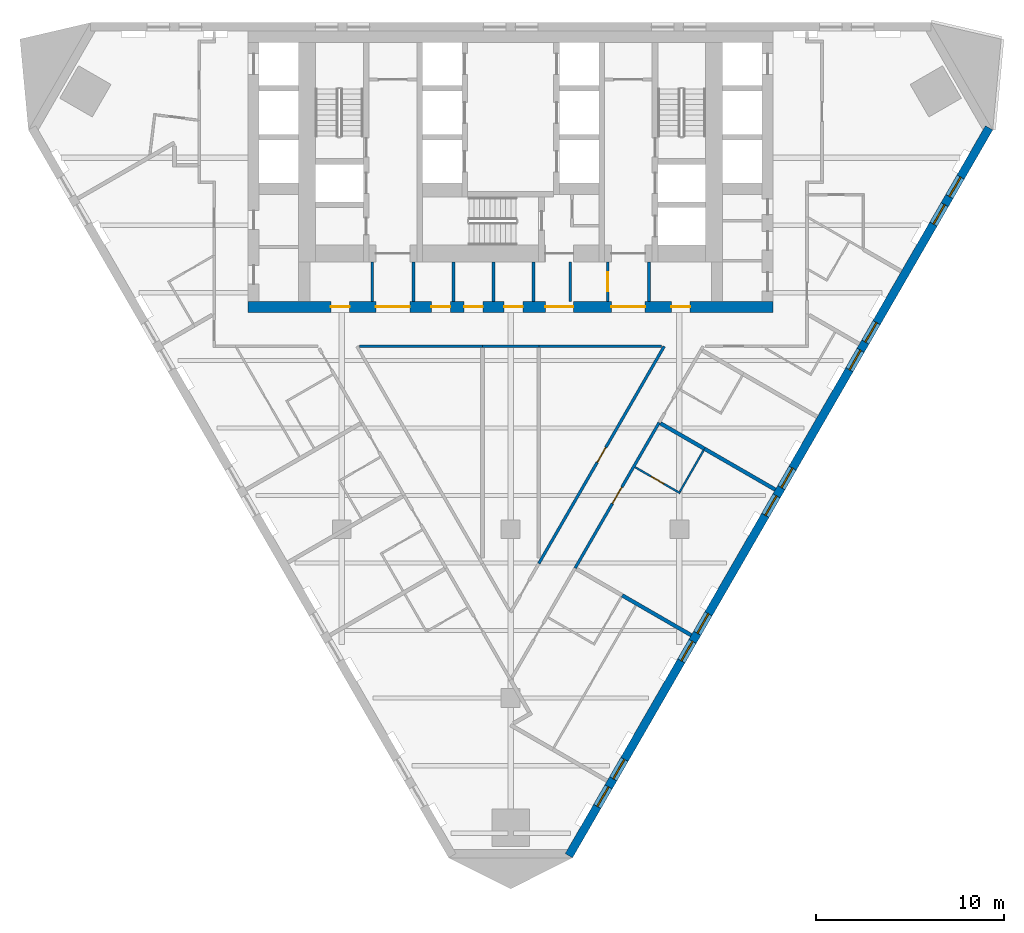
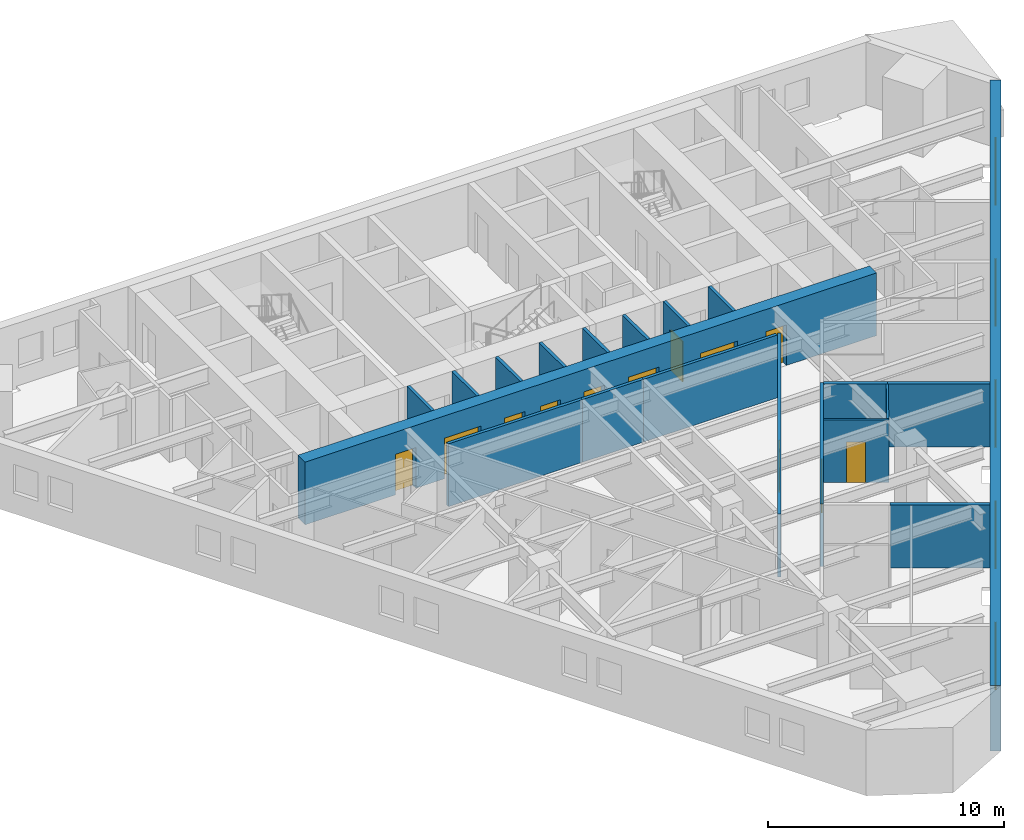
# One storey, part 4 of 10: 20 walls, 12 doors, 10 windows, 22 openings.
"""IFC4 building model written with IfcOpenShell, lengths in metres."""

from ifc_helpers import new_model, si_unit, direction, frame, frame_2d, origin, place, context, subcontext, project, spatial, polyline, rectangle, outline, extrude, material, layer, layer_set, type_object, element, fill, save


model = new_model("IFC4")

# Units and contexts
model_context = context("Model", 3, precision=1e-05, world=origin(), true_north=direction((0.0, 1.0)))
body_context = subcontext(model_context, "Body", "Model", "MODEL_VIEW")
ifc_project = project(units=[si_unit("LENGTHUNIT", "METRE"), si_unit("AREAUNIT", "SQUARE_METRE"), si_unit("VOLUMEUNIT", "CUBIC_METRE"), si_unit("PLANEANGLEUNIT", "RADIAN"), si_unit("MASSUNIT", "GRAM", prefix="KILO")], contexts=[model_context])

# Site, building, storey
site_placement = place(None, origin())
site = spatial("IfcSite", under=ifc_project, at=site_placement, CompositionType="ELEMENT")
building_placement = place(site_placement, origin())
building = spatial("IfcBuilding", under=site, at=building_placement, Name="Aloe Facet Convention Tower", CompositionType="ELEMENT")
storey_placement = place(building_placement, frame((0.0, 0.0, 73.5)))
storey = spatial("IfcBuildingStorey", under=building, at=storey_placement, Name="L17", CompositionType="ELEMENT", Elevation=73.5)

# Walls
ifc_material_1 = material(Name="Concrete blockwork partition", Category="masonry")
ifc_layer_1 = layer(ifc_material_1, 0.14990234375)
ifc_layer_set_1 = layer_set([ifc_layer_1], Name="CR-W-PART150")
wall_type_1 = type_object("IfcWallType", Name="CR-W-PART150", PredefinedType="PARTITIONING", material=ifc_layer_set_1)
for number, where, z_axis, x_axis, name in (
    (1, (72.625, 122.25, 0.0), (0.0, 0.0, 1.0), (0.0, -1.0, 0.0), "Core partition L17-016"),
    (2, (74.824951171875, 122.25, 0.0), (0.0, 0.0, 1.0), (0.0, -1.0, 0.0), "Core partition L17-017"),
    (3, (76.958251953125, 122.25, 0.0), (0.0, 0.0, 1.0), (0.0, -1.0, 0.0), "Core partition L17-023"),
    (4, (79.091552734375, 122.25, 0.0), (0.0, 0.0, 1.0), (0.0, -1.0, 0.0), "Core partition L17-026"),
    (5, (81.22509765625, 122.25, 0.0), (0.0, 0.0, 1.0), (0.0, -1.0, 0.0), "Core partition L17-027"),
    (6, (83.175048828125, 122.25, 0.0), (0.0, 0.0, 1.0), (0.0, -1.0, 0.0), "Core partition L17-034"),
):
    element("IfcWall", number, at=place(storey_placement, frame(where, z_axis=z_axis, x_axis=x_axis)), inside=storey, type_object=wall_type_1, Name=name, PredefinedType="PARTITIONING", context=body_context, shape_type="SweptSolid", body=[
        extrude(rectangle(XDim=2.10009765625, YDim=0.14990234375, at=frame_2d((1.050048828125, 0.0))), origin(), (0.0, 0.0, 1.0), 3.25),
    ])

# Wall, opening, door
wall_1_placement = place(storey_placement, frame((85.175048828125, 122.25, 0.0), z_axis=(0.0, 0.0, 1.0), x_axis=(0.0, -1.0, 0.0)))
wall_1 = element("IfcWall", 7, at=wall_1_placement, inside=storey, type_object=wall_type_1, Name="Core partition L17-040", PredefinedType="PARTITIONING", context=body_context, shape_type="SweptSolid", body=[
    extrude(rectangle(XDim=2.10009765625, YDim=0.14990234375, at=frame_2d((1.050048828125, 0.0))), origin(), (0.0, 0.0, 1.0), 3.25),
])
opening_1_placement = place(wall_1_placement, frame((0.550048828125, 0.0, 0.0)))
opening_1 = element("IfcOpeningElement", 8, at=opening_1_placement, cuts=wall_1, Name="Opening L17-CD28", PredefinedType="OPENING", context=body_context, shape_type="SweptSolid", body=[
    extrude(rectangle(XDim=1.0, YDim=2.10009765625, at=frame_2d((0.5, 1.050048828125))), frame((0.0, 0.0849609375, 0.0), z_axis=(0.0, -1.0, 0.0), x_axis=(1.0, 0.0, 0.0)), (0.0, 0.0, 1.0), 0.169921875),
])
ifc_material_2 = material(Name="Steel fire-resisting door set FD60", Category="steel")
door_type_1 = type_object("IfcDoorType", Name="CR-D-ROOM-1000-FD60-SRIGHT", OperationType="SINGLE_SWING_RIGHT", PredefinedType="DOOR", material=ifc_material_2)
door_1_placement = place(opening_1_placement, origin())
door_1 = element("IfcDoor", 9, at=door_1_placement, inside=storey, type_object=door_type_1, Name="Core door L17-CD28", OperationType="SINGLE_SWING_RIGHT", OverallHeight=2.10009765625, OverallWidth=1.0, PredefinedType="DOOR", context=body_context, shape_type="SweptSolid", body=[
    extrude(rectangle(XDim=1.0, YDim=2.10009765625, at=frame_2d((0.5, 1.050048828125))), frame((0.0, 0.02490234375, 0.0), z_axis=(0.0, -1.0, 0.0), x_axis=(1.0, 0.0, 0.0)), (0.0, 0.0, 1.0), 0.050048828125),
])
fill(opening_1, door_1)

# Wall
wall_2_placement = place(storey_placement, frame((87.375, 122.25, 0.0), z_axis=(0.0, 0.0, 1.0), x_axis=(0.0, -1.0, 0.0)))
element("IfcWall", 10, at=wall_2_placement, inside=storey, type_object=wall_type_1, Name="Core partition L17-041", PredefinedType="PARTITIONING", context=body_context, shape_type="SweptSolid", body=[
    extrude(rectangle(XDim=2.10009765625, YDim=0.14990234375, at=frame_2d((1.050048828125, 0.0))), origin(), (0.0, 0.0, 1.0), 3.25),
])

# Wall, openings, doors
ifc_material_3 = material(Name="Concrete C80/95", Category="concrete")
ifc_layer_2 = layer(ifc_material_3, 0.60009765625)
ifc_layer_set_2 = layer_set([ifc_layer_2], Name="CR-W-RC600-C8095")
wall_type_2 = type_object("IfcWallType", Name="CR-W-RC600-C8095", PredefinedType="SOLIDWALL", material=ifc_layer_set_2)
wall_3_placement = place(storey_placement, frame((66.0, 119.85009765625, 0.0), z_axis=(0.0, 0.0, 1.0), x_axis=(1.0, 0.0, 0.0)))
wall_3 = element("IfcWall", 11, at=wall_3_placement, inside=storey, type_object=wall_type_2, Name="Core wall L17-003", PredefinedType="SOLIDWALL", context=body_context, shape_type="SweptSolid", body=[
    extrude(rectangle(XDim=28.0, YDim=0.60009765625, at=frame_2d((14.0, 0.0))), origin(), (0.0, 0.0, 1.0), 3.25),
])
opening_2_placement = place(wall_3_placement, frame((6.824951171875, 0.0, 0.0)))
opening_2 = element("IfcOpeningElement", 12, at=opening_2_placement, cuts=wall_3, Name="Opening L17-CD17", PredefinedType="OPENING", context=body_context, shape_type="SweptSolid", body=[
    extrude(rectangle(XDim=1.800048828125, YDim=2.10009765625, at=frame_2d((0.89990234375, 1.050048828125))), frame((0.0, 0.31005859375, 0.0), z_axis=(0.0, -1.0, 0.0), x_axis=(1.0, 0.0, 0.0)), (0.0, 0.0, 1.0), 0.6201171875),
])
opening_3_placement = place(wall_3_placement, frame((15.85009765625, 0.0, 0.0)))
opening_3 = element("IfcOpeningElement", 13, at=opening_3_placement, cuts=wall_3, Name="Opening L17-CD18", PredefinedType="OPENING", context=body_context, shape_type="SweptSolid", body=[
    extrude(rectangle(XDim=1.5, YDim=2.10009765625, at=frame_2d((0.75, 1.050048828125))), frame((0.0, 0.31005859375, 0.0), z_axis=(0.0, -1.0, 0.0), x_axis=(1.0, 0.0, 0.0)), (0.0, 0.0, 1.0), 0.6201171875),
])
opening_4_placement = place(wall_3_placement, frame((19.375, 0.0, 0.0)))
opening_4 = element("IfcOpeningElement", 14, at=opening_4_placement, cuts=wall_3, Name="Opening L17-CD19", PredefinedType="OPENING", context=body_context, shape_type="SweptSolid", body=[
    extrude(rectangle(XDim=1.800048828125, YDim=2.10009765625, at=frame_2d((0.89990234375, 1.050048828125))), frame((0.0, 0.31005859375, 0.0), z_axis=(0.0, -1.0, 0.0), x_axis=(1.0, 0.0, 0.0)), (0.0, 0.0, 1.0), 0.6201171875),
])
opening_5_placement = place(wall_3_placement, frame((4.425048828125, 0.0, 0.0)))
opening_5 = element("IfcOpeningElement", 15, at=opening_5_placement, cuts=wall_3, Name="Opening L17-CD24", PredefinedType="OPENING", context=body_context, shape_type="SweptSolid", body=[
    extrude(rectangle(XDim=1.0, YDim=2.10009765625, at=frame_2d((0.5, 1.050048828125))), frame((0.0, 0.31005859375, 0.0), z_axis=(0.0, -1.0, 0.0), x_axis=(1.0, 0.0, 0.0)), (0.0, 0.0, 1.0), 0.6201171875),
])
opening_6_placement = place(wall_3_placement, frame((9.783203125, 0.0, 0.0)))
opening_6 = element("IfcOpeningElement", 16, at=opening_6_placement, cuts=wall_3, Name="Opening L17-CD25", PredefinedType="OPENING", context=body_context, shape_type="SweptSolid", body=[
    extrude(rectangle(XDim=1.0, YDim=2.10009765625, at=frame_2d((0.5, 1.050048828125))), frame((0.0, 0.31005859375, 0.0), z_axis=(0.0, -1.0, 0.0), x_axis=(1.0, 0.0, 0.0)), (0.0, 0.0, 1.0), 0.6201171875),
])
opening_7_placement = place(wall_3_placement, frame((11.52490234375, 0.0, 0.0)))
opening_7 = element("IfcOpeningElement", 17, at=opening_7_placement, cuts=wall_3, Name="Opening L17-CD26", PredefinedType="OPENING", context=body_context, shape_type="SweptSolid", body=[
    extrude(rectangle(XDim=1.0, YDim=2.10009765625, at=frame_2d((0.5, 1.050048828125))), frame((0.0, 0.31005859375, 0.0), z_axis=(0.0, -1.0, 0.0), x_axis=(1.0, 0.0, 0.0)), (0.0, 0.0, 1.0), 0.6201171875),
])
opening_8_placement = place(wall_3_placement, frame((13.658203125, 0.0, 0.0)))
opening_8 = element("IfcOpeningElement", 18, at=opening_8_placement, cuts=wall_3, Name="Opening L17-CD27", PredefinedType="OPENING", context=body_context, shape_type="SweptSolid", body=[
    extrude(rectangle(XDim=1.0, YDim=2.10009765625, at=frame_2d((0.5, 1.050048828125))), frame((0.0, 0.31005859375, 0.0), z_axis=(0.0, -1.0, 0.0), x_axis=(1.0, 0.0, 0.0)), (0.0, 0.0, 1.0), 0.6201171875),
])
opening_9_placement = place(wall_3_placement, frame((22.574951171875, 0.0, 0.0)))
opening_9 = element("IfcOpeningElement", 19, at=opening_9_placement, cuts=wall_3, Name="Opening L17-CD29", PredefinedType="OPENING", context=body_context, shape_type="SweptSolid", body=[
    extrude(rectangle(XDim=1.0, YDim=2.10009765625, at=frame_2d((0.5, 1.050048828125))), frame((0.0, 0.31005859375, 0.0), z_axis=(0.0, -1.0, 0.0), x_axis=(1.0, 0.0, 0.0)), (0.0, 0.0, 1.0), 0.6201171875),
])
ifc_material_4 = material(Name="Steel fire-resisting door set FD60", Category="steel")
door_type_2 = type_object("IfcDoorType", Name="CR-D-EXIT-1500-FD60-DD", OperationType="DOUBLE_DOOR_DOUBLE_SWING", PredefinedType="DOOR", material=ifc_material_4)
door_2_placement = place(opening_3_placement, origin())
door_2 = element("IfcDoor", 20, at=door_2_placement, inside=storey, type_object=door_type_2, Name="Core door L17-CD18", OperationType="DOUBLE_DOOR_DOUBLE_SWING", OverallHeight=2.10009765625, OverallWidth=1.5, PredefinedType="DOOR", context=body_context, shape_type="SweptSolid", body=[
    extrude(rectangle(XDim=1.5, YDim=2.10009765625, at=frame_2d((0.75, 1.050048828125))), frame((0.0, 0.02490234375, 0.0), z_axis=(0.0, -1.0, 0.0), x_axis=(1.0, 0.0, 0.0)), (0.0, 0.0, 1.0), 0.050048828125),
])
fill(opening_3, door_2)
ifc_material_5 = material(Name="Steel fire-resisting door set FD60", Category="steel")
door_type_3 = type_object("IfcDoorType", Name="CR-D-EXIT-1800-FD60-DD", OperationType="DOUBLE_DOOR_DOUBLE_SWING", PredefinedType="DOOR", material=ifc_material_5)
door_3_placement = place(opening_2_placement, origin())
door_3 = element("IfcDoor", 21, at=door_3_placement, inside=storey, type_object=door_type_3, Name="Core door L17-CD17", OperationType="DOUBLE_DOOR_DOUBLE_SWING", OverallHeight=2.10009765625, OverallWidth=1.800048828125, PredefinedType="DOOR", context=body_context, shape_type="SweptSolid", body=[
    extrude(rectangle(XDim=1.800048828125, YDim=2.10009765625, at=frame_2d((0.89990234375, 1.050048828125))), frame((0.0, 0.02490234375, 0.0), z_axis=(0.0, -1.0, 0.0), x_axis=(1.0, 0.0, 0.0)), (0.0, 0.0, 1.0), 0.050048828125),
])
fill(opening_2, door_3)
door_4_placement = place(opening_4_placement, origin())
door_4 = element("IfcDoor", 22, at=door_4_placement, inside=storey, type_object=door_type_3, Name="Core door L17-CD19", OperationType="DOUBLE_DOOR_DOUBLE_SWING", OverallHeight=2.10009765625, OverallWidth=1.800048828125, PredefinedType="DOOR", context=body_context, shape_type="SweptSolid", body=[
    extrude(rectangle(XDim=1.800048828125, YDim=2.10009765625, at=frame_2d((0.89990234375, 1.050048828125))), frame((0.0, 0.02490234375, 0.0), z_axis=(0.0, -1.0, 0.0), x_axis=(1.0, 0.0, 0.0)), (0.0, 0.0, 1.0), 0.050048828125),
])
fill(opening_4, door_4)
door_5_placement = place(opening_5_placement, origin())
door_5 = element("IfcDoor", 23, at=door_5_placement, inside=storey, type_object=door_type_1, Name="Core door L17-CD24", OperationType="SINGLE_SWING_RIGHT", OverallHeight=2.10009765625, OverallWidth=1.0, PredefinedType="DOOR", context=body_context, shape_type="SweptSolid", body=[
    extrude(rectangle(XDim=1.0, YDim=2.10009765625, at=frame_2d((0.5, 1.050048828125))), frame((0.0, 0.02490234375, 0.0), z_axis=(0.0, -1.0, 0.0), x_axis=(1.0, 0.0, 0.0)), (0.0, 0.0, 1.0), 0.050048828125),
])
fill(opening_5, door_5)
door_6_placement = place(opening_6_placement, origin())
door_6 = element("IfcDoor", 24, at=door_6_placement, inside=storey, type_object=door_type_1, Name="Core door L17-CD25", OperationType="SINGLE_SWING_RIGHT", OverallHeight=2.10009765625, OverallWidth=1.0, PredefinedType="DOOR", context=body_context, shape_type="SweptSolid", body=[
    extrude(rectangle(XDim=1.0, YDim=2.10009765625, at=frame_2d((0.5, 1.050048828125))), frame((0.0, 0.02490234375, 0.0), z_axis=(0.0, -1.0, 0.0), x_axis=(1.0, 0.0, 0.0)), (0.0, 0.0, 1.0), 0.050048828125),
])
fill(opening_6, door_6)
door_7_placement = place(opening_7_placement, origin())
door_7 = element("IfcDoor", 25, at=door_7_placement, inside=storey, type_object=door_type_1, Name="Core door L17-CD26", OperationType="SINGLE_SWING_RIGHT", OverallHeight=2.10009765625, OverallWidth=1.0, PredefinedType="DOOR", context=body_context, shape_type="SweptSolid", body=[
    extrude(rectangle(XDim=1.0, YDim=2.10009765625, at=frame_2d((0.5, 1.050048828125))), frame((0.0, 0.02490234375, 0.0), z_axis=(0.0, -1.0, 0.0), x_axis=(1.0, 0.0, 0.0)), (0.0, 0.0, 1.0), 0.050048828125),
])
fill(opening_7, door_7)
door_8_placement = place(opening_8_placement, origin())
door_8 = element("IfcDoor", 26, at=door_8_placement, inside=storey, type_object=door_type_1, Name="Core door L17-CD27", OperationType="SINGLE_SWING_RIGHT", OverallHeight=2.10009765625, OverallWidth=1.0, PredefinedType="DOOR", context=body_context, shape_type="SweptSolid", body=[
    extrude(rectangle(XDim=1.0, YDim=2.10009765625, at=frame_2d((0.5, 1.050048828125))), frame((0.0, 0.02490234375, 0.0), z_axis=(0.0, -1.0, 0.0), x_axis=(1.0, 0.0, 0.0)), (0.0, 0.0, 1.0), 0.050048828125),
])
fill(opening_8, door_8)
door_9_placement = place(opening_9_placement, origin())
door_9 = element("IfcDoor", 27, at=door_9_placement, inside=storey, type_object=door_type_1, Name="Core door L17-CD29", OperationType="SINGLE_SWING_RIGHT", OverallHeight=2.10009765625, OverallWidth=1.0, PredefinedType="DOOR", context=body_context, shape_type="SweptSolid", body=[
    extrude(rectangle(XDim=1.0, YDim=2.10009765625, at=frame_2d((0.5, 1.050048828125))), frame((0.0, 0.02490234375, 0.0), z_axis=(0.0, -1.0, 0.0), x_axis=(1.0, 0.0, 0.0)), (0.0, 0.0, 1.0), 0.050048828125),
])
fill(opening_9, door_9)

# Wall, openings, windows
ifc_material_6 = material(Name="Precast concrete C40/50", Category="concrete")
ifc_layer_3 = layer(ifc_material_6, 0.449951171875)
ifc_layer_set_3 = layer_set([ifc_layer_3], Name="EV-WALL-STONE")
wall_type_3 = type_object("IfcWallType", Name="EV-WALL-STONE", PredefinedType="SOLIDWALL", material=ifc_layer_set_3)
wall_4_placement = place(storey_placement, frame((83.105224609375, 90.598876953125, -0.14990234375), z_axis=(0.0, 0.0, 1.0), x_axis=(0.499999201451, 0.866025864826, 0.0)))
wall_4 = element("IfcWall", 28, at=wall_4_placement, inside=storey, type_object=wall_type_3, Name="EW-L17-E01", PredefinedType="SOLIDWALL", context=body_context, shape_type="SweptSolid", body=[
    extrude(outline(polyline([(44.800048828125, 0.0), (44.800048828125, 3.39990234375), (0.0, 3.39990234375), (0.0, 0.0), (44.800048828125, 0.0)])), frame((0.0, 0.22509765625, 0.0), z_axis=(0.0, -1.0, 0.0), x_axis=(1.0, 0.0, 0.0)), (0.0, 0.0, 1.0), 0.449951171875),
])
opening_10_placement = place(wall_4_placement, frame((3.030029296875, 0.0, 1.050048828125)))
opening_10 = element("IfcOpeningElement", 29, at=opening_10_placement, cuts=wall_4, Name="Opening W-L17-E01", PredefinedType="OPENING", context=body_context, shape_type="SweptSolid", body=[
    extrude(rectangle(XDim=1.199951171875, YDim=1.5, at=frame_2d((0.60009765625, 0.75))), frame((0.0, 0.23486328125, 0.0), z_axis=(0.0, -1.0, 0.0), x_axis=(1.0, 0.0, 0.0)), (0.0, 0.0, 1.0), 0.469970703125),
])
opening_11_placement = place(wall_4_placement, frame((4.72998046875, 0.0, 1.050048828125)))
opening_11 = element("IfcOpeningElement", 30, at=opening_11_placement, cuts=wall_4, Name="Opening W-L17-E02", PredefinedType="OPENING", context=body_context, shape_type="SweptSolid", body=[
    extrude(rectangle(XDim=1.199951171875, YDim=1.5, at=frame_2d((0.60009765625, 0.75))), frame((0.0, 0.23486328125, 0.0), z_axis=(0.0, -1.0, 0.0), x_axis=(1.0, 0.0, 0.0)), (0.0, 0.0, 1.0), 0.469970703125),
])
opening_12_placement = place(wall_4_placement, frame((11.989990234375, 0.0, 1.050048828125)))
opening_12 = element("IfcOpeningElement", 31, at=opening_12_placement, cuts=wall_4, Name="Opening W-L17-E03", PredefinedType="OPENING", context=body_context, shape_type="SweptSolid", body=[
    extrude(rectangle(XDim=1.199951171875, YDim=1.5, at=frame_2d((0.60009765625, 0.75))), frame((0.0, 0.23486328125, 0.0), z_axis=(0.0, -1.0, 0.0), x_axis=(1.0, 0.0, 0.0)), (0.0, 0.0, 1.0), 0.469970703125),
])
opening_13_placement = place(wall_4_placement, frame((13.68994140625, 0.0, 1.050048828125)))
opening_13 = element("IfcOpeningElement", 32, at=opening_13_placement, cuts=wall_4, Name="Opening W-L17-E04", PredefinedType="OPENING", context=body_context, shape_type="SweptSolid", body=[
    extrude(rectangle(XDim=1.199951171875, YDim=1.5, at=frame_2d((0.60009765625, 0.75))), frame((0.0, 0.23486328125, 0.0), z_axis=(0.0, -1.0, 0.0), x_axis=(1.0, 0.0, 0.0)), (0.0, 0.0, 1.0), 0.469970703125),
])
opening_14_placement = place(wall_4_placement, frame((20.949951171875, 0.0, 1.050048828125)))
opening_14 = element("IfcOpeningElement", 33, at=opening_14_placement, cuts=wall_4, Name="Opening W-L17-E05", PredefinedType="OPENING", context=body_context, shape_type="SweptSolid", body=[
    extrude(rectangle(XDim=1.199951171875, YDim=1.5, at=frame_2d((0.60009765625, 0.75))), frame((0.0, 0.23486328125, 0.0), z_axis=(0.0, -1.0, 0.0), x_axis=(1.0, 0.0, 0.0)), (0.0, 0.0, 1.0), 0.469970703125),
])
opening_15_placement = place(wall_4_placement, frame((22.64990234375, 0.0, 1.050048828125)))
opening_15 = element("IfcOpeningElement", 34, at=opening_15_placement, cuts=wall_4, Name="Opening W-L17-E06", PredefinedType="OPENING", context=body_context, shape_type="SweptSolid", body=[
    extrude(rectangle(XDim=1.199951171875, YDim=1.5, at=frame_2d((0.60009765625, 0.75))), frame((0.0, 0.23486328125, 0.0), z_axis=(0.0, -1.0, 0.0), x_axis=(1.0, 0.0, 0.0)), (0.0, 0.0, 1.0), 0.469970703125),
])
opening_16_placement = place(wall_4_placement, frame((29.909912109375, 0.0, 1.050048828125)))
opening_16 = element("IfcOpeningElement", 35, at=opening_16_placement, cuts=wall_4, Name="Opening W-L17-E07", PredefinedType="OPENING", context=body_context, shape_type="SweptSolid", body=[
    extrude(rectangle(XDim=1.199951171875, YDim=1.5, at=frame_2d((0.60009765625, 0.75))), frame((0.0, 0.23486328125, 0.0), z_axis=(0.0, -1.0, 0.0), x_axis=(1.0, 0.0, 0.0)), (0.0, 0.0, 1.0), 0.469970703125),
])
opening_17_placement = place(wall_4_placement, frame((31.610107421875, 0.0, 1.050048828125)))
opening_17 = element("IfcOpeningElement", 36, at=opening_17_placement, cuts=wall_4, Name="Opening W-L17-E08", PredefinedType="OPENING", context=body_context, shape_type="SweptSolid", body=[
    extrude(rectangle(XDim=1.199951171875, YDim=1.5, at=frame_2d((0.60009765625, 0.75))), frame((0.0, 0.23486328125, 0.0), z_axis=(0.0, -1.0, 0.0), x_axis=(1.0, 0.0, 0.0)), (0.0, 0.0, 1.0), 0.469970703125),
])
opening_18_placement = place(wall_4_placement, frame((38.8701171875, 0.0, 1.050048828125)))
opening_18 = element("IfcOpeningElement", 37, at=opening_18_placement, cuts=wall_4, Name="Opening W-L17-E09", PredefinedType="OPENING", context=body_context, shape_type="SweptSolid", body=[
    extrude(rectangle(XDim=1.199951171875, YDim=1.5, at=frame_2d((0.60009765625, 0.75))), frame((0.0, 0.23486328125, 0.0), z_axis=(0.0, -1.0, 0.0), x_axis=(1.0, 0.0, 0.0)), (0.0, 0.0, 1.0), 0.469970703125),
])
opening_19_placement = place(wall_4_placement, frame((40.570068359375, 0.0, 1.050048828125)))
opening_19 = element("IfcOpeningElement", 38, at=opening_19_placement, cuts=wall_4, Name="Opening W-L17-E10", PredefinedType="OPENING", context=body_context, shape_type="SweptSolid", body=[
    extrude(rectangle(XDim=1.199951171875, YDim=1.5, at=frame_2d((0.60009765625, 0.75))), frame((0.0, 0.23486328125, 0.0), z_axis=(0.0, -1.0, 0.0), x_axis=(1.0, 0.0, 0.0)), (0.0, 0.0, 1.0), 0.469970703125),
])
ifc_material_7 = material(Name="Aluminium frame, clear double glazing", Category="aluminium")
window_type = type_object("IfcWindowType", Name="EV-WIN-H12", PartitioningType="SINGLE_PANEL", PredefinedType="WINDOW", material=ifc_material_7)
window_1_placement = place(opening_10_placement, origin())
window_1 = element("IfcWindow", 39, at=window_1_placement, inside=storey, type_object=window_type, Name="W-L17-E01", OverallHeight=1.5, OverallWidth=1.199951171875, PartitioningType="SINGLE_PANEL", PredefinedType="WINDOW", context=body_context, shape_type="SweptSolid", body=[
    extrude(rectangle(XDim=1.199951171875, YDim=1.5, at=frame_2d((0.60009765625, 0.75))), frame((0.0, 0.030029296875, 0.0), z_axis=(0.0, -1.0, 0.0), x_axis=(1.0, 0.0, 0.0)), (0.0, 0.0, 1.0), 0.06005859375),
])
fill(opening_10, window_1)
window_2_placement = place(opening_11_placement, origin())
window_2 = element("IfcWindow", 40, at=window_2_placement, inside=storey, type_object=window_type, Name="W-L17-E02", OverallHeight=1.5, OverallWidth=1.199951171875, PartitioningType="SINGLE_PANEL", PredefinedType="WINDOW", context=body_context, shape_type="SweptSolid", body=[
    extrude(rectangle(XDim=1.199951171875, YDim=1.5, at=frame_2d((0.60009765625, 0.75))), frame((0.0, 0.030029296875, 0.0), z_axis=(0.0, -1.0, 0.0), x_axis=(1.0, 0.0, 0.0)), (0.0, 0.0, 1.0), 0.06005859375),
])
fill(opening_11, window_2)
window_3_placement = place(opening_12_placement, origin())
window_3 = element("IfcWindow", 41, at=window_3_placement, inside=storey, type_object=window_type, Name="W-L17-E03", OverallHeight=1.5, OverallWidth=1.199951171875, PartitioningType="SINGLE_PANEL", PredefinedType="WINDOW", context=body_context, shape_type="SweptSolid", body=[
    extrude(rectangle(XDim=1.199951171875, YDim=1.5, at=frame_2d((0.60009765625, 0.75))), frame((0.0, 0.030029296875, 0.0), z_axis=(0.0, -1.0, 0.0), x_axis=(1.0, 0.0, 0.0)), (0.0, 0.0, 1.0), 0.06005859375),
])
fill(opening_12, window_3)
window_4_placement = place(opening_13_placement, origin())
window_4 = element("IfcWindow", 42, at=window_4_placement, inside=storey, type_object=window_type, Name="W-L17-E04", OverallHeight=1.5, OverallWidth=1.199951171875, PartitioningType="SINGLE_PANEL", PredefinedType="WINDOW", context=body_context, shape_type="SweptSolid", body=[
    extrude(rectangle(XDim=1.199951171875, YDim=1.5, at=frame_2d((0.60009765625, 0.75))), frame((0.0, 0.030029296875, 0.0), z_axis=(0.0, -1.0, 0.0), x_axis=(1.0, 0.0, 0.0)), (0.0, 0.0, 1.0), 0.06005859375),
])
fill(opening_13, window_4)
window_5_placement = place(opening_14_placement, origin())
window_5 = element("IfcWindow", 43, at=window_5_placement, inside=storey, type_object=window_type, Name="W-L17-E05", OverallHeight=1.5, OverallWidth=1.199951171875, PartitioningType="SINGLE_PANEL", PredefinedType="WINDOW", context=body_context, shape_type="SweptSolid", body=[
    extrude(rectangle(XDim=1.199951171875, YDim=1.5, at=frame_2d((0.60009765625, 0.75))), frame((0.0, 0.030029296875, 0.0), z_axis=(0.0, -1.0, 0.0), x_axis=(1.0, 0.0, 0.0)), (0.0, 0.0, 1.0), 0.06005859375),
])
fill(opening_14, window_5)
window_6_placement = place(opening_15_placement, origin())
window_6 = element("IfcWindow", 44, at=window_6_placement, inside=storey, type_object=window_type, Name="W-L17-E06", OverallHeight=1.5, OverallWidth=1.199951171875, PartitioningType="SINGLE_PANEL", PredefinedType="WINDOW", context=body_context, shape_type="SweptSolid", body=[
    extrude(rectangle(XDim=1.199951171875, YDim=1.5, at=frame_2d((0.60009765625, 0.75))), frame((0.0, 0.030029296875, 0.0), z_axis=(0.0, -1.0, 0.0), x_axis=(1.0, 0.0, 0.0)), (0.0, 0.0, 1.0), 0.06005859375),
])
fill(opening_15, window_6)
window_7_placement = place(opening_16_placement, origin())
window_7 = element("IfcWindow", 45, at=window_7_placement, inside=storey, type_object=window_type, Name="W-L17-E07", OverallHeight=1.5, OverallWidth=1.199951171875, PartitioningType="SINGLE_PANEL", PredefinedType="WINDOW", context=body_context, shape_type="SweptSolid", body=[
    extrude(rectangle(XDim=1.199951171875, YDim=1.5, at=frame_2d((0.60009765625, 0.75))), frame((0.0, 0.030029296875, 0.0), z_axis=(0.0, -1.0, 0.0), x_axis=(1.0, 0.0, 0.0)), (0.0, 0.0, 1.0), 0.06005859375),
])
fill(opening_16, window_7)
window_8_placement = place(opening_17_placement, origin())
window_8 = element("IfcWindow", 46, at=window_8_placement, inside=storey, type_object=window_type, Name="W-L17-E08", OverallHeight=1.5, OverallWidth=1.199951171875, PartitioningType="SINGLE_PANEL", PredefinedType="WINDOW", context=body_context, shape_type="SweptSolid", body=[
    extrude(rectangle(XDim=1.199951171875, YDim=1.5, at=frame_2d((0.60009765625, 0.75))), frame((0.0, 0.030029296875, 0.0), z_axis=(0.0, -1.0, 0.0), x_axis=(1.0, 0.0, 0.0)), (0.0, 0.0, 1.0), 0.06005859375),
])
fill(opening_17, window_8)
window_9_placement = place(opening_18_placement, origin())
window_9 = element("IfcWindow", 47, at=window_9_placement, inside=storey, type_object=window_type, Name="W-L17-E09", OverallHeight=1.5, OverallWidth=1.199951171875, PartitioningType="SINGLE_PANEL", PredefinedType="WINDOW", context=body_context, shape_type="SweptSolid", body=[
    extrude(rectangle(XDim=1.199951171875, YDim=1.5, at=frame_2d((0.60009765625, 0.75))), frame((0.0, 0.030029296875, 0.0), z_axis=(0.0, -1.0, 0.0), x_axis=(1.0, 0.0, 0.0)), (0.0, 0.0, 1.0), 0.06005859375),
])
fill(opening_18, window_9)
window_10_placement = place(opening_19_placement, origin())
window_10 = element("IfcWindow", 48, at=window_10_placement, inside=storey, type_object=window_type, Name="W-L17-E10", OverallHeight=1.5, OverallWidth=1.199951171875, PartitioningType="SINGLE_PANEL", PredefinedType="WINDOW", context=body_context, shape_type="SweptSolid", body=[
    extrude(rectangle(XDim=1.199951171875, YDim=1.5, at=frame_2d((0.60009765625, 0.75))), frame((0.0, 0.030029296875, 0.0), z_axis=(0.0, -1.0, 0.0), x_axis=(1.0, 0.0, 0.0)), (0.0, 0.0, 1.0), 0.06005859375),
])
fill(opening_19, window_10)

# Wall, opening, door
ifc_material_8 = material(Name="Gypsum board partition on steel studs", Category="steel")
ifc_layer_4 = layer(ifc_material_8, 0.14990234375)
ifc_layer_set_4 = layer_set([ifc_layer_4], Name="IN-W-CORR")
wall_type_4 = type_object("IfcWallType", Name="IN-W-CORR", PredefinedType="PARTITIONING", material=ifc_layer_set_4)
wall_5_placement = place(storey_placement, frame((81.501953125, 106.172119140625, 0.0), z_axis=(0.0, 0.0, 1.0), x_axis=(0.500004357924, 0.866022887721, 0.0)))
wall_5 = element("IfcWall", 49, at=wall_5_placement, inside=storey, type_object=wall_type_4, Name="Partition L17-W035", PredefinedType="PARTITIONING", context=body_context, shape_type="SweptSolid", body=[
    extrude(rectangle(XDim=13.369140625, YDim=0.14990234375, at=frame_2d((6.6845703125, 0.0))), origin(), (0.0, 0.0, 1.0), 3.25),
])
opening_20_placement = place(wall_5_placement, frame((6.234619140625, 0.0, 0.0)))
opening_20 = element("IfcOpeningElement", 50, at=opening_20_placement, cuts=wall_5, Name="Opening L17-014", PredefinedType="OPENING", context=body_context, shape_type="SweptSolid", body=[
    extrude(rectangle(XDim=0.89990234375, YDim=2.10009765625, at=frame_2d((0.449951171875, 1.050048828125))), frame((0.0, 0.0849609375, 0.0), z_axis=(0.0, -1.0, 0.0), x_axis=(1.0, 0.0, 0.0)), (0.0, 0.0, 1.0), 0.169921875),
])
ifc_material_9 = material(Name="Hardwood flush door FD30S", Category="wood")
door_type_4 = type_object("IfcDoorType", Name="IN-D-GUEST", OperationType="SINGLE_SWING_LEFT", PredefinedType="DOOR", material=ifc_material_9)
door_10_placement = place(opening_20_placement, origin())
door_10 = element("IfcDoor", 51, at=door_10_placement, inside=storey, type_object=door_type_4, Name="Door L17-014", OperationType="SINGLE_SWING_LEFT", OverallHeight=2.10009765625, OverallWidth=0.89990234375, PredefinedType="DOOR", context=body_context, shape_type="SweptSolid", body=[
    extrude(rectangle(XDim=0.89990234375, YDim=2.10009765625, at=frame_2d((0.449951171875, 1.050048828125))), frame((0.0, 0.02490234375, 0.0), z_axis=(0.0, -1.0, 0.0), x_axis=(1.0, 0.0, 0.0)), (0.0, 0.0, 1.0), 0.050048828125),
])
fill(opening_20, door_10)

wall_6_placement = place(storey_placement, frame((83.438232421875, 105.92578125, 0.0), z_axis=(0.0, 0.0, 1.0), x_axis=(0.500001561196, 0.866024502425, 0.0)))
wall_6 = element("IfcWall", 52, at=wall_6_placement, inside=storey, type_object=wall_type_4, Name="Partition L17-W059", PredefinedType="PARTITIONING", context=body_context, shape_type="SweptSolid", body=[
    extrude(rectangle(XDim=8.9599609375, YDim=0.14990234375, at=frame_2d((4.47998046875, 0.0))), origin(), (0.0, 0.0, 1.0), 3.25),
])
opening_21_placement = place(wall_6_placement, frame((3.97998046875, 0.0, 0.0)))
opening_21 = element("IfcOpeningElement", 53, at=opening_21_placement, cuts=wall_6, Name="Opening L17-008", PredefinedType="OPENING", context=body_context, shape_type="SweptSolid", body=[
    extrude(rectangle(XDim=1.0, YDim=2.10009765625, at=frame_2d((0.5, 1.050048828125))), frame((0.0, 0.0849609375, 0.0), z_axis=(0.0, -1.0, 0.0), x_axis=(1.0, 0.0, 0.0)), (0.0, 0.0, 1.0), 0.169921875),
])
ifc_material_10 = material(Name="Hardwood flush door FD30S", Category="wood")
door_type_5 = type_object("IfcDoorType", Name="IN-D-WIDE", OperationType="SINGLE_SWING_LEFT", PredefinedType="DOOR", material=ifc_material_10)
door_11_placement = place(opening_21_placement, origin())
door_11 = element("IfcDoor", 54, at=door_11_placement, inside=storey, type_object=door_type_5, Name="Door L17-008", OperationType="SINGLE_SWING_LEFT", OverallHeight=2.10009765625, OverallWidth=1.0, PredefinedType="DOOR", context=body_context, shape_type="SweptSolid", body=[
    extrude(rectangle(XDim=1.0, YDim=2.10009765625, at=frame_2d((0.5, 1.050048828125))), frame((0.0, 0.02490234375, 0.0), z_axis=(0.0, -1.0, 0.0), x_axis=(1.0, 0.0, 0.0)), (0.0, 0.0, 1.0), 0.050048828125),
])
fill(opening_21, door_11)

# Walls
wall_7_placement = place(storey_placement, frame((71.943359375, 117.75, 0.0), z_axis=(0.0, 0.0, 1.0), x_axis=(1.0, 0.0, 0.0)))
element("IfcWall", 55, at=wall_7_placement, inside=storey, type_object=wall_type_4, Name="Partition L17-W077", PredefinedType="PARTITIONING", context=body_context, shape_type="SweptSolid", body=[
    extrude(rectangle(XDim=6.5546875, YDim=0.14990234375, at=frame_2d((3.27734375, 0.0))), origin(), (0.0, 0.0, 1.0), 3.25),
])
wall_8_placement = place(storey_placement, frame((78.498046875, 117.75, 0.0), z_axis=(0.0, 0.0, 1.0), x_axis=(1.0, 0.0, 0.0)))
element("IfcWall", 56, at=wall_8_placement, inside=storey, type_object=wall_type_4, Name="Partition L17-W078", PredefinedType="PARTITIONING", context=body_context, shape_type="SweptSolid", body=[
    extrude(rectangle(XDim=3.00390625, YDim=0.14990234375, at=frame_2d((1.501953125, 0.0))), origin(), (0.0, 0.0, 1.0), 3.25),
])
wall_9_placement = place(storey_placement, frame((81.501953125, 117.75, 0.0), z_axis=(0.0, 0.0, 1.0), x_axis=(1.0, 0.0, 0.0)))
element("IfcWall", 57, at=wall_9_placement, inside=storey, type_object=wall_type_4, Name="Partition L17-W079", PredefinedType="PARTITIONING", context=body_context, shape_type="SweptSolid", body=[
    extrude(rectangle(XDim=6.5546875, YDim=0.14990234375, at=frame_2d((3.27734375, 0.0))), origin(), (0.0, 0.0, 1.0), 3.25),
])

# Wall, opening, door
ifc_material_11 = material(Name="Gypsum board partition on steel studs", Category="steel")
ifc_layer_5 = layer(ifc_material_11, 0.10009765625)
ifc_layer_set_5 = layer_set([ifc_layer_5], Name="IN-W-PART")
wall_type_5 = type_object("IfcWallType", Name="IN-W-PART", PredefinedType="PARTITIONING", material=ifc_layer_set_5)
wall_10_placement = place(storey_placement, frame((86.633056640625, 111.3095703125, 0.0), z_axis=(0.0, 0.0, 1.0), x_axis=(0.86600392025, -0.500037208726, 0.0)))
wall_10 = element("IfcWall", 58, at=wall_10_placement, inside=storey, type_object=wall_type_5, Name="Partition L17-W043", PredefinedType="PARTITIONING", context=body_context, shape_type="SweptSolid", body=[
    extrude(rectangle(XDim=2.775146484375, YDim=0.10009765625, at=frame_2d((1.3876953125, 0.0))), origin(), (0.0, 0.0, 1.0), 3.25),
])
opening_22_placement = place(wall_10_placement, frame((0.987548828125, 0.0, 0.0)))
opening_22 = element("IfcOpeningElement", 59, at=opening_22_placement, cuts=wall_10, Name="Opening L17-027", PredefinedType="OPENING", context=body_context, shape_type="SweptSolid", body=[
    extrude(rectangle(XDim=0.800048828125, YDim=2.10009765625, at=frame_2d((0.39990234375, 1.050048828125))), frame((0.0, 0.06005859375, 0.0), z_axis=(0.0, -1.0, 0.0), x_axis=(1.0, 0.0, 0.0)), (0.0, 0.0, 1.0), 0.1201171875),
])
ifc_material_12 = material(Name="Timber flush door", Category="wood")
door_type_6 = type_object("IfcDoorType", Name="IN-D-BATH", OperationType="SINGLE_SWING_LEFT", PredefinedType="DOOR", material=ifc_material_12)
door_12_placement = place(opening_22_placement, origin())
door_12 = element("IfcDoor", 60, at=door_12_placement, inside=storey, type_object=door_type_6, Name="Door L17-027", OperationType="SINGLE_SWING_LEFT", OverallHeight=2.10009765625, OverallWidth=0.800048828125, PredefinedType="DOOR", context=body_context, shape_type="SweptSolid", body=[
    extrude(rectangle(XDim=0.800048828125, YDim=2.10009765625, at=frame_2d((0.39990234375, 1.050048828125))), frame((0.0, 0.02490234375, 0.0), z_axis=(0.0, -1.0, 0.0), x_axis=(1.0, 0.0, 0.0)), (0.0, 0.0, 1.0), 0.050048828125),
])
fill(opening_22, door_12)

# Walls
wall_11_placement = place(storey_placement, frame((89.02294921875, 109.9990234375, 0.0), z_axis=(0.0, 0.0, 1.0), x_axis=(0.496762324189, 0.867886624661, 0.0)))
element("IfcWall", 61, at=wall_11_placement, inside=storey, type_object=wall_type_5, Name="Partition L17-W054", PredefinedType="PARTITIONING", context=body_context, shape_type="SweptSolid", body=[
    extrude(rectangle(XDim=2.530029296875, YDim=0.10009765625, at=frame_2d((1.26513671875, 0.0))), origin(), (0.0, 0.0, 1.0), 3.25),
])
ifc_material_13 = material(Name="Gypsum board partition on steel studs", Category="steel")
ifc_layer_6 = layer(ifc_material_13, 0.199951171875)
ifc_layer_set_6 = layer_set([ifc_layer_6], Name="IN-W-PARTY")
wall_type_6 = type_object("IfcWallType", Name="IN-W-PARTY", PredefinedType="PARTITIONING", material=ifc_layer_set_6)
wall_12_placement = place(storey_placement, frame((85.94970703125, 104.4755859375, 0.0), z_axis=(0.0, 0.0, 1.0), x_axis=(0.866028703517, -0.499994284652, 0.0)))
element("IfcWall", 62, at=wall_12_placement, inside=storey, type_object=wall_type_6, Name="Partition L17-W009", PredefinedType="PARTITIONING", context=body_context, shape_type="SweptSolid", body=[
    extrude(rectangle(XDim=4.25, YDim=0.199951171875, at=frame_2d((2.125, 0.0))), origin(), (0.0, 0.0, 1.0), 3.25),
])
wall_13_placement = place(storey_placement, frame((90.33447265625, 112.290283203125, 0.0), z_axis=(0.0, 0.0, 1.0), x_axis=(0.866032659912, -0.499987431809, 0.0)))
element("IfcWall", 63, at=wall_13_placement, inside=storey, type_object=wall_type_6, Name="Partition L17-W045", PredefinedType="PARTITIONING", context=body_context, shape_type="SweptSolid", body=[
    extrude(rectangle(XDim=4.35986328125, YDim=0.199951171875, at=frame_2d((2.179931640625, 0.0))), origin(), (0.0, 0.0, 1.0), 3.25),
])
wall_14_placement = place(storey_placement, frame((87.99169921875, 113.642822265625, 0.0), z_axis=(0.0, 0.0, 1.0), x_axis=(0.866035297817, -0.499982862641, 0.0)))
element("IfcWall", 64, at=wall_14_placement, inside=storey, type_object=wall_type_6, Name="Partition L17-W060", PredefinedType="PARTITIONING", context=body_context, shape_type="SweptSolid", body=[
    extrude(rectangle(XDim=2.705078125, YDim=0.199951171875, at=frame_2d((1.3525390625, 0.0))), origin(), (0.0, 0.0, 1.0), 3.25),
])

save(model, "model.ifc")
